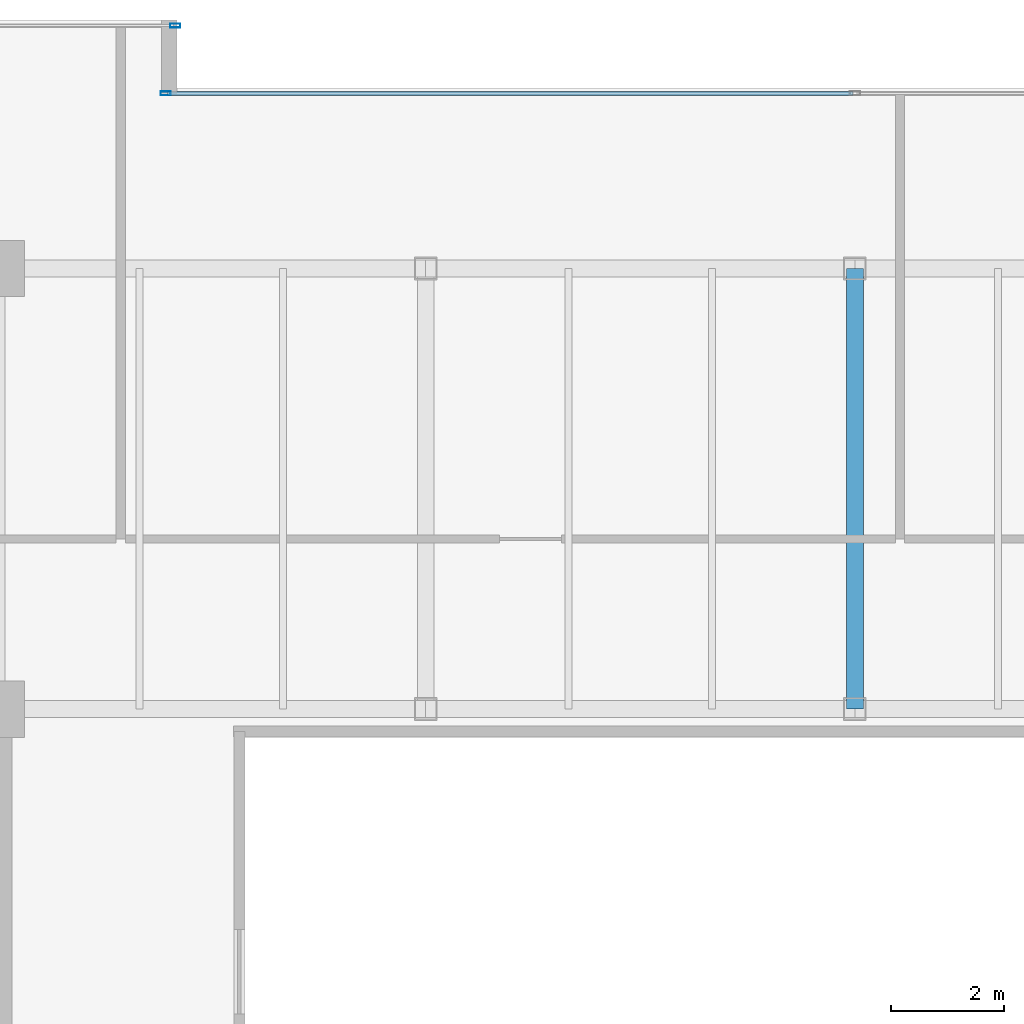
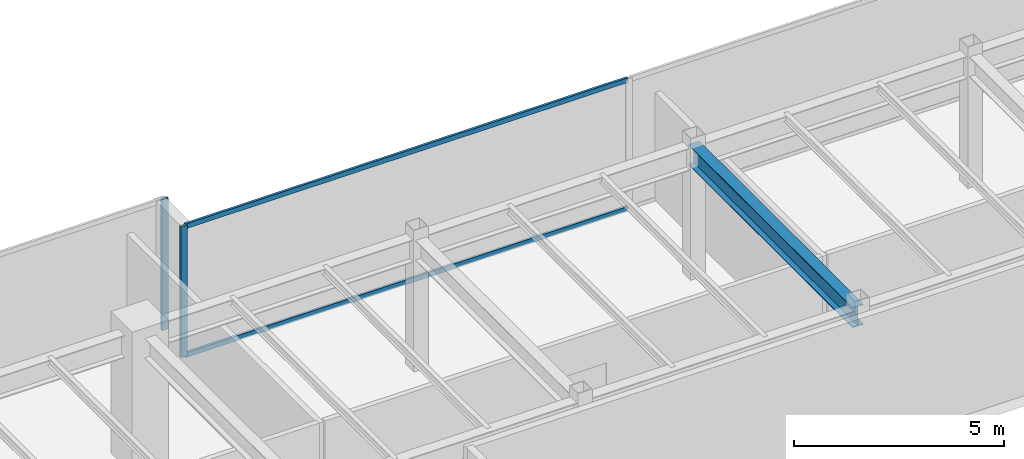
# One storey, part 17 of 33: 4 members, 1 beam, 2 elements without a shape of their own.
"""IFC4 building model written with IfcOpenShell, lengths in metres."""

import ifcopenshell
import ifcopenshell.guid

model = None  # the IFC model being written
_history = None  # IfcOwnerHistory: only IFC2X3 demands one
_inside = {}  # id of a spatial element -> (the spatial element, [elements in it])
_under = {}  # id of a project, library or spatial element -> (it, [spatial elements below it])
_declared = {}  # id of a project -> (the project, [libraries it declares])
_typed = {}  # id of a type object -> (the type object, [elements of that type])
_made_of = {}  # id of a material, layer set ... -> (it, [elements and type objects made of it])


def new_model(schema):
    """Start an empty IFC model of exactly this schema.

    Asked for "IFC4X3", IfcOpenShell would pick the latest addendum, in which some entities
    have other attributes; the version numbers below select the first issue.
    IFC2X3 requires an IfcOwnerHistory on every rooted entity: one is made here for all.
    """
    global model, _history
    if schema == "IFC4X3":
        model = ifcopenshell.file(schema_version=(4, 3, 0, 0))
    else:
        model = ifcopenshell.file(schema=schema)
    _inside.clear()
    _under.clear()
    _declared.clear()
    _typed.clear()
    _made_of.clear()
    _history = None
    if model.schema == "IFC2X3":
        org = make("IfcOrganization", Name="unknown")
        user = make(
            "IfcPersonAndOrganization",
            ThePerson=make("IfcPerson", FamilyName="unknown"),
            TheOrganization=org,
        )
        app = make(
            "IfcApplication",
            ApplicationDeveloper=org,
            Version="unknown",
            ApplicationFullName="unknown",
            ApplicationIdentifier="unknown",
        )
        _history = make(
            "IfcOwnerHistory",
            OwningUser=user,
            OwningApplication=app,
            ChangeAction="ADDED",
            CreationDate=0,
        )
    return model


def make(cls, **values):
    """One entity of the class cls with the attributes given. An attribute that is None is left unset."""
    return model.create_entity(
        cls, **{name: value for name, value in values.items() if value is not None}
    )


def rooted(cls, **values):
    """An entity with a GlobalId (a new one), such as an element, a storey or a relation."""
    return make(cls, GlobalId=ifcopenshell.guid.new(), OwnerHistory=_history, **values)


def si_unit(unit_type, name, prefix=None):
    """IfcSIUnit, for example si_unit("LENGTHUNIT", "METRE", prefix="MILLI")."""
    return make("IfcSIUnit", UnitType=unit_type, Prefix=prefix, Name=name)


def assignment(units):
    """IfcUnitAssignment: the units of a project."""
    return None if units is None else make("IfcUnitAssignment", Units=units)


def point(xyz):
    """IfcCartesianPoint."""
    return None if xyz is None else make("IfcCartesianPoint", Coordinates=xyz)


def direction(xyz):
    """IfcDirection."""
    return None if xyz is None else make("IfcDirection", DirectionRatios=xyz)


def frame(location, z_axis=None, x_axis=None):
    """IfcAxis2Placement3D, a coordinate frame: its origin and axes. An axis left out is left unset."""
    return make(
        "IfcAxis2Placement3D",
        Location=point(location),
        Axis=direction(z_axis),
        RefDirection=direction(x_axis),
    )


def frame_2d(location, x_axis=None):
    """IfcAxis2Placement2D, a coordinate frame in the plane: its origin and x axis."""
    return make(
        "IfcAxis2Placement2D", Location=point(location), RefDirection=direction(x_axis)
    )


def origin():
    """The frame at (0, 0, 0) with its axes left unset."""
    return frame((0.0, 0.0, 0.0))


def origin_2d():
    """The frame at (0, 0) in the plane with its x axis left unset."""
    return frame_2d((0.0, 0.0))


def place(relative_to, where):
    """IfcLocalPlacement: puts the frame where relative to a parent placement (None: the world)."""
    return make(
        "IfcLocalPlacement", PlacementRelTo=relative_to, RelativePlacement=where
    )


def context(
    kind, dimensions, precision=None, world=None, true_north=None, identifier=None
):
    """IfcGeometricRepresentationContext, for example the 3D "Model" context."""
    return make(
        "IfcGeometricRepresentationContext",
        ContextIdentifier=identifier,
        ContextType=kind,
        CoordinateSpaceDimension=dimensions,
        Precision=precision,
        WorldCoordinateSystem=world,
        TrueNorth=true_north,
    )


def subcontext(parent, identifier, kind, view, scale=None):
    """IfcGeometricRepresentationSubContext, for example "Body" below "Model"."""
    return make(
        "IfcGeometricRepresentationSubContext",
        ContextIdentifier=identifier,
        ContextType=kind,
        ParentContext=parent,
        TargetScale=scale,
        TargetView=view,
    )


def project(units=None, contexts=None):
    """IfcProject with its units and contexts."""
    return rooted(
        "IfcProject",
        Name="project",
        RepresentationContexts=contexts,
        UnitsInContext=assignment(units),
    )


def spatial(cls, under=None, at=None, **own):
    """A site, building, storey or space (cls), placed at a placement, below another one or the project."""
    s = rooted(cls, ObjectPlacement=at, **own)
    if under is not None:
        _under.setdefault(under.id(), (under, []))[1].append(s)
    return s


def profile(cls, at=None, kind="AREA", **sizes):
    """A parametric profile (cls). Its sizes go by their IFC names, for example OverallWidth=200.0."""
    return make(cls, ProfileType=kind, Position=at, **sizes)


def hollow_rectangle(**sizes):
    """IfcRectangleHollowProfileDef."""
    return profile("IfcRectangleHollowProfileDef", **sizes)


def i_section(**sizes):
    """IfcIShapeProfileDef."""
    return profile("IfcIShapeProfileDef", **sizes)


def extrude(swept, where, along, depth):
    """IfcExtrudedAreaSolid: the profile swept, set in the frame where, extruded along a direction by depth."""
    return make(
        "IfcExtrudedAreaSolid",
        SweptArea=swept,
        Position=where,
        ExtrudedDirection=direction(along),
        Depth=depth,
    )


def shape(context_of_items, identifier, shape_type, items):
    """IfcShapeRepresentation: the items that make up one representation, for example the "Body"."""
    return make(
        "IfcShapeRepresentation",
        ContextOfItems=context_of_items,
        RepresentationIdentifier=identifier,
        RepresentationType=shape_type,
        Items=items,
    )


def source(mapping_origin, context_of_items, identifier, shape_type, items):
    """IfcRepresentationMap: a shape defined once, which mapped items show again and again."""
    return make(
        "IfcRepresentationMap",
        MappingOrigin=mapping_origin,
        MappedRepresentation=shape(context_of_items, identifier, shape_type, items),
    )


def transform(
    local_origin,
    x_axis=None,
    y_axis=None,
    z_axis=None,
    scale=None,
    scale2=None,
    scale3=None,
    uniform=True,
):
    """IfcCartesianTransformationOperator3D, or its non-uniform kind. x_axis, y_axis, z_axis: its Axis1, 2, 3."""
    if uniform:
        return make(
            "IfcCartesianTransformationOperator3D",
            Axis1=direction(x_axis),
            Axis2=direction(y_axis),
            LocalOrigin=point(local_origin),
            Scale=scale,
            Axis3=direction(z_axis),
        )
    return make(
        "IfcCartesianTransformationOperator3DnonUniform",
        Axis1=direction(x_axis),
        Axis2=direction(y_axis),
        LocalOrigin=point(local_origin),
        Scale=scale,
        Axis3=direction(z_axis),
        Scale2=scale2,
        Scale3=scale3,
    )


def mapped(mapping_source, mapping_target):
    """IfcMappedItem: shows the shape of a source again, moved by a transform."""
    return make(
        "IfcMappedItem", MappingSource=mapping_source, MappingTarget=mapping_target
    )


def material(Name=None, Category=None):
    """IfcMaterial."""
    return make("IfcMaterial", Name=Name, Category=Category)


def layer(
    of_material, thickness, ventilated=None, Name=None, Category=None, Priority=None
):
    """IfcMaterialLayer: one layer of a wall or slab, of a material (None: an air gap)."""
    return make(
        "IfcMaterialLayer",
        Material=of_material,
        LayerThickness=thickness,
        IsVentilated=ventilated,
        Name=Name,
        Category=Category,
        Priority=Priority,
    )


def layer_set(layers, Name=None):
    """IfcMaterialLayerSet."""
    return make("IfcMaterialLayerSet", MaterialLayers=layers, LayerSetName=Name)


def material_profile(
    of_material, cross_section, Name=None, Category=None, Priority=None
):
    """IfcMaterialProfile: a cross section and its material."""
    return make(
        "IfcMaterialProfile",
        Name=Name,
        Material=of_material,
        Profile=cross_section,
        Priority=Priority,
        Category=Category,
    )


def profile_set(profiles, Name=None, composite=None):
    """IfcMaterialProfileSet."""
    return make(
        "IfcMaterialProfileSet",
        Name=Name,
        MaterialProfiles=profiles,
        CompositeProfile=composite,
    )


def made_of(thing, what):
    """Note that an element or type object is made of a material, layer set ...; save() writes the relation."""
    if what is not None:
        _made_of.setdefault(what.id(), (what, []))[1].append(thing)
    return thing


def type_object(cls, material=None, **own):
    """A type object (cls), such as IfcWallType, which elements share."""
    return made_of(rooted(cls, **own), material)


def type_shapes(of_type, sources):
    """Give a type object the sources (RepresentationMaps) that its elements show as mapped items."""
    of_type.RepresentationMaps = sources


def element(
    cls,
    number,
    at=None,
    inside=None,
    cuts=None,
    type_object=None,
    material=None,
    context=None,
    identifier="Body",
    shape_type=None,
    held_by="IfcProductDefinitionShape",
    body=None,
    shapes=None,
    **own,
):
    """One element of the class cls, such as IfcWall. Its Tag is "e" and its number.

    at: its placement. inside: the storey or other place that contains it. cuts: it is an
    opening in that element (IfcRelVoidsElement). A single representation is given by context,
    identifier, shape_type and body (its items); several are given by shapes. held_by: the class
    of the entity that holds the representations. save() writes the other relations.
    """
    e = rooted(cls, Tag="e%d" % number, ObjectPlacement=at, **own)
    if body is not None:
        shapes = [shape(context, identifier, shape_type, body)]
    if shapes is not None:
        e.Representation = make(held_by, Representations=shapes)
    if inside is not None:
        _inside.setdefault(inside.id(), (inside, []))[1].append(e)
    if cuts is not None:
        rooted(
            "IfcRelVoidsElement", RelatingBuildingElement=cuts, RelatedOpeningElement=e
        )
    if type_object is not None:
        _typed.setdefault(type_object.id(), (type_object, []))[1].append(e)
    return made_of(e, material)


def aggregate(whole, parts):
    """IfcRelAggregates: a whole, such as a stair, and the parts it consists of."""
    return rooted("IfcRelAggregates", RelatingObject=whole, RelatedObjects=parts)


def save(model, path):
    """Write the relations noted so far, then the file.

    IfcRelAggregates (storeys below a building ...), IfcRelContainedInSpatialStructure (elements
    in a storey), IfcRelDefinesByType, IfcRelAssociatesMaterial and IfcRelDeclares: one each for
    every whole, place, type object, material and project.
    """
    for whole, parts in _under.values():
        aggregate(whole, parts)
    for where, things in _inside.values():
        rooted(
            "IfcRelContainedInSpatialStructure",
            RelatedElements=things,
            RelatingStructure=where,
        )
    for kind, things in _typed.values():
        rooted("IfcRelDefinesByType", RelatedObjects=things, RelatingType=kind)
    for what, things in _made_of.values():
        rooted("IfcRelAssociatesMaterial", RelatedObjects=things, RelatingMaterial=what)
    for by, libraries in _declared.values():
        rooted("IfcRelDeclares", RelatingContext=by, RelatedDefinitions=libraries)
    model.write(path)


model = new_model("IFC4")

# Units and contexts
model_context = context("Model", 3, precision=1e-05, world=origin(), true_north=direction((0.0, 1.0)))
body_context = subcontext(model_context, "Body", "Model", "MODEL_VIEW")
ifc_project = project(units=[si_unit("LENGTHUNIT", "METRE"), si_unit("AREAUNIT", "SQUARE_METRE"), si_unit("VOLUMEUNIT", "CUBIC_METRE"), si_unit("PLANEANGLEUNIT", "RADIAN"), si_unit("MASSUNIT", "GRAM", prefix="KILO")], contexts=[model_context])

# Site, building, storey
site_placement = place(None, origin())
site = spatial("IfcSite", under=ifc_project, at=site_placement, CompositionType="ELEMENT")
building_placement = place(site_placement, origin())
building = spatial("IfcBuilding", under=site, at=building_placement, Name="Haelvirn Gate Laboratories", CompositionType="ELEMENT")
storey_placement = place(building_placement, frame((0.0, 0.0, 258.800048828125)))
storey = spatial("IfcBuildingStorey", under=building, at=storey_placement, Name="L62", CompositionType="ELEMENT", Elevation=258.800048828125)

# Beam
ifc_material_1 = material(Name="Steel SM355", Category="steel")
ifc_material_profile_1 = material_profile(ifc_material_1, i_section(OverallWidth=0.300048828125, OverallDepth=0.587890625, WebThickness=0.011962890625, FlangeThickness=0.02001953125, at=origin_2d()), Name="H-588x300x12x20")
ifc_profile_set_1 = profile_set([ifc_material_profile_1], Name="Steel SM355")
beam_type = type_object("IfcBeamType", Name="BM-G-588", PredefinedType="BEAM", material=ifc_profile_set_1)
shared_shape_1 = source(origin(), body_context, "Body", "SweptSolid", [
    extrude(i_section(OverallWidth=0.300048828125, OverallDepth=0.587890625, WebThickness=0.011962890625, FlangeThickness=0.02001953125, at=origin_2d()), origin(), (0.0, 0.0, 1.0), 7.800048828125),
])
type_shapes(beam_type, [shared_shape_1])
beam_placement = place(storey_placement, frame((37.39990234375, 33.800048828125, 3.505859375), z_axis=(0.0, 1.0, 0.0), x_axis=(-1.0, 0.0, 0.0)))
element("IfcBeam", 1, at=beam_placement, inside=storey, type_object=beam_type, Name="L62 Frame Girder X37.4 (33.8-41.6)", PredefinedType="BEAM", context=body_context, shape_type="MappedRepresentation", body=[
    mapped(shared_shape_1, transform((0.0, 0.0, 0.0), scale=1.0)),
])

# Curtain wall, members
ifc_material_2 = material(Name="Anodised bronze unitised aluminium & triple low-E glass", Category="aluminium")
ifc_layer = layer(ifc_material_2, 0.176025390625, Name="CW-SYS-4")
ifc_layer_set = layer_set([ifc_layer], Name="Anodised bronze unitised aluminium & triple low-E glass")
curtain_wall_type = type_object("IfcCurtainWallType", Name="CW-SYS-4", PredefinedType="NOTDEFINED", material=ifc_layer_set)
curtain_wall_1_placement = place(storey_placement, origin())
curtain_wall_1 = element("IfcCurtainWall", 2, at=curtain_wall_1_placement, inside=storey, type_object=curtain_wall_type, Name="L62 Unitised Curtain Wall CW-L62-P0-E12-1", PredefinedType="NOTDEFINED")
ifc_material_3 = material(Name="Extruded aluminium 6063-T6 (anodised bronze)", Category="aluminium")
ifc_material_profile_2 = material_profile(ifc_material_3, hollow_rectangle(XDim=0.06494140625, YDim=0.139892578125, WallThickness=0.00390625, at=origin_2d()), Name="CWT-140x65x4")
ifc_profile_set_2 = profile_set([ifc_material_profile_2], Name="Extruded aluminium 6063-T6 (anodised bronze)")
member_type_1 = type_object("IfcMemberType", Name="CWT-T140", PredefinedType="USERDEFINED", material=ifc_profile_set_2)
shared_shape_2 = source(origin(), body_context, "Body", "SweptSolid", [
    extrude(hollow_rectangle(XDim=0.06494140625, YDim=0.139892578125, WallThickness=0.00390625, at=origin_2d()), origin(), (0.0, 0.0, 1.0), 12.135009765625),
])
type_shapes(member_type_1, [shared_shape_2])
member_1_placement = place(storey_placement, frame((25.22998046875, 44.699951171875, 0.032470703125), z_axis=(1.0, 0.0, 0.0), x_axis=(0.0, 1.0, 0.0)))
member_1 = element("IfcMember", 3, at=member_1_placement, type_object=member_type_1, Name="CW4 transom 1.1", ObjectType="TRANSOM", PredefinedType="USERDEFINED", context=body_context, shape_type="MappedRepresentation", body=[
    mapped(shared_shape_2, transform((0.0, 0.0, 0.0), scale=1.0)),
])
member_2_placement = place(storey_placement, frame((25.22998046875, 44.699951171875, 3.767333984375), z_axis=(1.0, 0.0, 0.0), x_axis=(0.0, 1.0, 0.0)))
member_2 = element("IfcMember", 4, at=member_2_placement, type_object=member_type_1, Name="CW4 transom 1.2", ObjectType="TRANSOM", PredefinedType="USERDEFINED", context=body_context, shape_type="MappedRepresentation", body=[
    mapped(shared_shape_2, transform((0.0, 0.0, 0.0), scale=1.0)),
])
ifc_material_profile_3 = material_profile(ifc_material_3, hollow_rectangle(XDim=0.070068359375, YDim=0.179931640625, WallThickness=0.0048828125, at=origin_2d()), Name="CWM-180x70x5")
ifc_profile_set_3 = profile_set([ifc_material_profile_3], Name="Extruded aluminium 6063-T6 (anodised bronze)")
member_type_2 = type_object("IfcMemberType", Name="CWM-T180", PredefinedType="MULLION", material=ifc_profile_set_3)
shared_shape_3 = source(origin(), body_context, "Body", "SweptSolid", [
    extrude(hollow_rectangle(XDim=0.070068359375, YDim=0.179931640625, WallThickness=0.0048828125, at=origin_2d()), origin(), (0.0, 0.0, 1.0), 3.800048828125),
])
type_shapes(member_type_2, [shared_shape_3])
member_3_placement = place(storey_placement, frame((25.195068359375, 44.699951171875, 0.0), z_axis=(0.0, 0.0, 1.0), x_axis=(0.0, 1.0, 0.0)))
member_3 = element("IfcMember", 5, at=member_3_placement, type_object=member_type_2, Name="CW4 mullion 1", PredefinedType="MULLION", context=body_context, shape_type="MappedRepresentation", body=[
    mapped(shared_shape_3, transform((0.0, 0.0, 0.0), scale=1.0)),
])
aggregate(curtain_wall_1, [member_3, member_1, member_2])

# Curtain wall, member
curtain_wall_2_placement = place(storey_placement, origin())
curtain_wall_2 = element("IfcCurtainWall", 6, at=curtain_wall_2_placement, inside=storey, type_object=curtain_wall_type, Name="L62 Unitised Curtain Wall CW-L62-P0-E14-1", PredefinedType="NOTDEFINED")
member_4_placement = place(storey_placement, frame((25.364990234375, 45.89990234375, 0.0), z_axis=(0.0, 0.0, 1.0), x_axis=(0.0, 1.0, 0.0)))
member_4 = element("IfcMember", 7, at=member_4_placement, type_object=member_type_2, Name="CW4 mullion 3", PredefinedType="MULLION", context=body_context, shape_type="MappedRepresentation", body=[
    mapped(shared_shape_3, transform((0.0, 0.0, 0.0), scale=1.0)),
])
aggregate(curtain_wall_2, [member_4])

save(model, "model.ifc")
